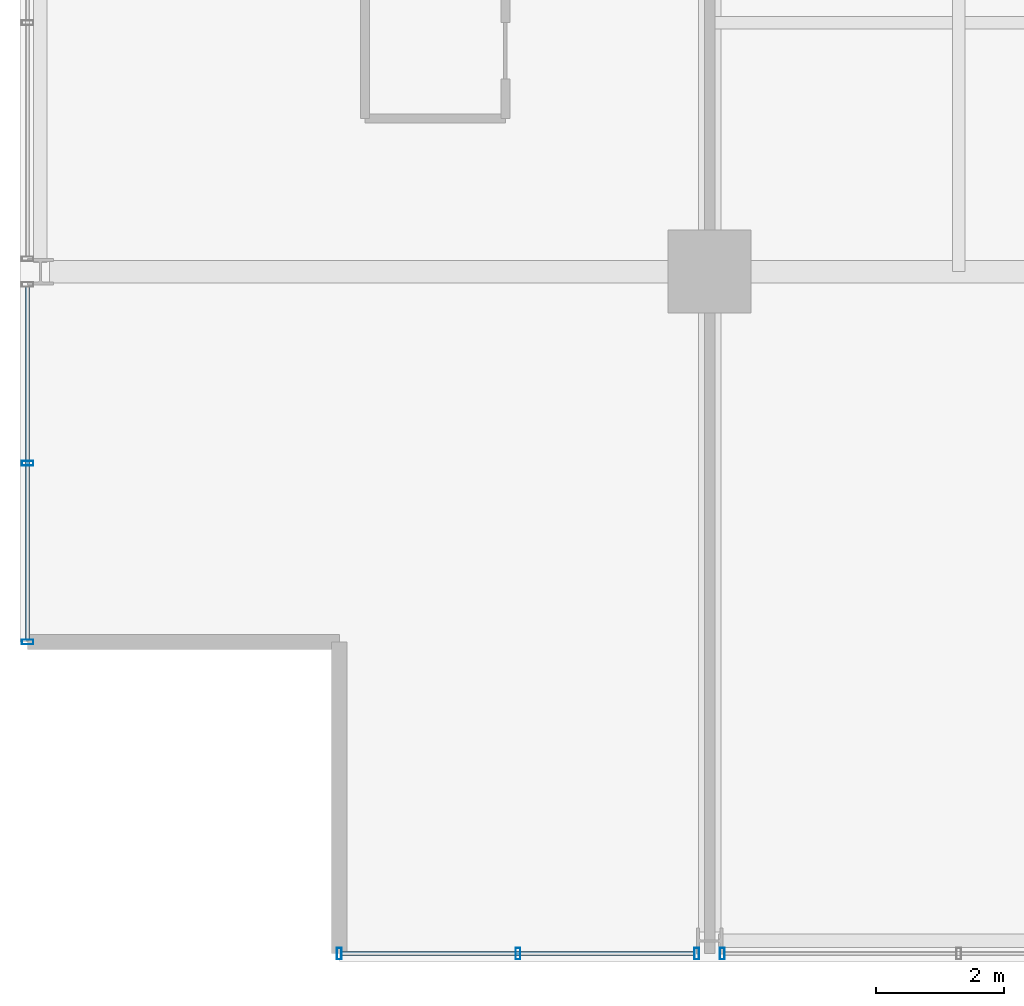
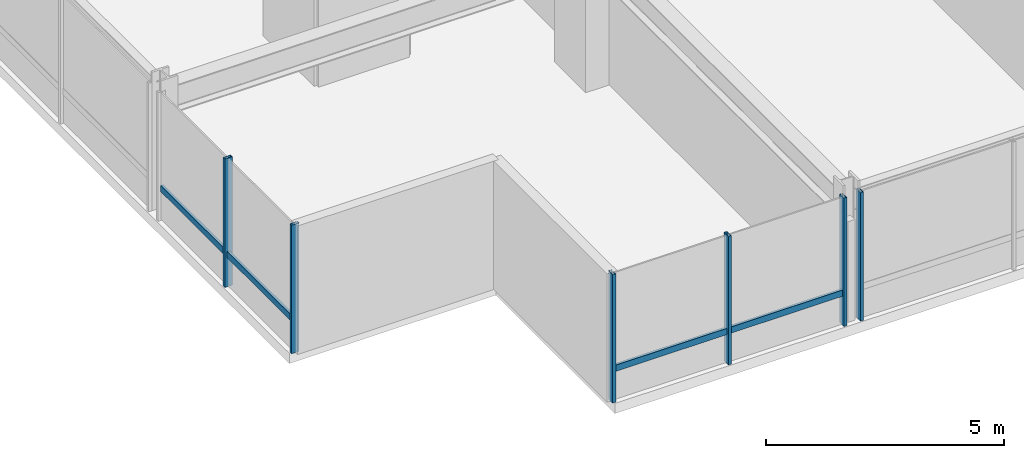
# One storey, part 2 of 34: 8 members, 3 elements without a shape of their own.
"""IFC4 building model written with IfcOpenShell, lengths in metres."""

from ifc_helpers import new_model, si_unit, direction, frame, origin, origin_2d, place, context, subcontext, project, spatial, hollow_rectangle, extrude, material, layer, layer_set, material_profile, profile_set, type_object, element, aggregate, save


model = new_model("IFC4")

# Units and contexts
model_context = context("Model", 3, precision=1e-05, world=origin(), true_north=direction((0.0, 1.0)))
body_context = subcontext(model_context, "Body", "Model", "MODEL_VIEW")
ifc_project = project(units=[si_unit("LENGTHUNIT", "METRE"), si_unit("AREAUNIT", "SQUARE_METRE"), si_unit("VOLUMEUNIT", "CUBIC_METRE"), si_unit("PLANEANGLEUNIT", "RADIAN"), si_unit("MASSUNIT", "GRAM", prefix="KILO")], contexts=[model_context])

# Site, building, storey
site_placement = place(None, origin())
site = spatial("IfcSite", under=ifc_project, at=site_placement, CompositionType="ELEMENT")
building_placement = place(site_placement, origin())
building = spatial("IfcBuilding", under=site, at=building_placement, Name="Drelvath Grand Hotel", CompositionType="ELEMENT")
storey_placement = place(building_placement, frame((0.0, 0.0, 175.25)))
storey = spatial("IfcBuildingStorey", under=building, at=storey_placement, Name="L45", CompositionType="ELEMENT", Elevation=175.25)

# Curtain wall, member
ifc_material = material(Name="Brushed Pale-Silver Anodised Aluminium Frame", Category="aluminium")
ifc_layer = layer(ifc_material, 0.199951171875)
ifc_layer_set = layer_set([ifc_layer], Name="Brushed Pale-Silver Anodised Aluminium Frame")
curtain_wall_type = type_object("IfcCurtainWallType", Name="Stick Curtain Wall CW-04 Brushed Silver Upper-Mid", PredefinedType="NOTDEFINED", material=ifc_layer_set)
curtain_wall_1_placement = place(storey_placement, origin())
curtain_wall_1 = element("IfcCurtainWall", 1, at=curtain_wall_1_placement, inside=storey, type_object=curtain_wall_type, Name="L45 CW-04 Curtain Wall CW04-L45-WS1", PredefinedType="NOTDEFINED")
ifc_material_profile_1 = material_profile(ifc_material, hollow_rectangle(XDim=0.06494140625, YDim=0.159912109375, WallThickness=0.00390625, at=origin_2d()), Name="HSS160X65X4")
ifc_profile_set_1 = profile_set([ifc_material_profile_1], Name="Brushed Pale-Silver Anodised Aluminium Frame")
member_type_1 = type_object("IfcMemberType", Name="Curtain Wall Horizontal Transom CW-04 HSS160X65X4", PredefinedType="USERDEFINED", material=ifc_profile_set_1)
member_1_placement = place(storey_placement, frame((-26.8798828125, 5.0400390625, 0.822509765625), z_axis=(0.0, 1.0, 0.0), x_axis=(-1.0, 0.0, 0.0)))
member_1 = element("IfcMember", 2, at=member_1_placement, type_object=member_type_1, Name="CW04-L45-WS1 Sill Transom", ObjectType="TRANSOM", PredefinedType="USERDEFINED", context=body_context, shape_type="SweptSolid", body=[
    extrude(hollow_rectangle(XDim=0.06494140625, YDim=0.159912109375, WallThickness=0.00390625, at=origin_2d()), origin(), (0.0, 0.0, 1.0), 5.519775390625),
])

curtain_wall_2_placement = place(storey_placement, origin())
curtain_wall_2 = element("IfcCurtainWall", 3, at=curtain_wall_2_placement, inside=storey, type_object=curtain_wall_type, Name="L45 CW-04 Curtain Wall CW04-L45-SW1", PredefinedType="NOTDEFINED")
member_2_placement = place(storey_placement, frame((-16.440185546875, 0.1201171875, 0.822509765625), z_axis=(-1.0, 0.0, 0.0), x_axis=(0.0, -1.0, 0.0)))
member_2 = element("IfcMember", 4, at=member_2_placement, type_object=member_type_1, Name="CW04-L45-SW1 Sill Transom", ObjectType="TRANSOM", PredefinedType="USERDEFINED", context=body_context, shape_type="SweptSolid", body=[
    extrude(hollow_rectangle(XDim=0.06494140625, YDim=0.159912109375, WallThickness=0.00390625, at=origin_2d()), origin(), (0.0, 0.0, 1.0), 5.519775390625),
])

# Member
ifc_material_profile_2 = material_profile(ifc_material, hollow_rectangle(XDim=0.074951171875, YDim=0.179931640625, WallThickness=0.0048828125, at=origin_2d()), Name="HSS180X75X5")
ifc_profile_set_2 = profile_set([ifc_material_profile_2], Name="Brushed Pale-Silver Anodised Aluminium Frame")
member_type_2 = type_object("IfcMemberType", Name="Curtain Wall Vertical Mullion CW-04 HSS180X75X5", PredefinedType="MULLION", material=ifc_profile_set_2)
member_3_placement = place(storey_placement, frame((-26.8798828125, 5.0, 0.0), z_axis=(0.0, 0.0, 1.0), x_axis=(0.0, 1.0, 0.0)))
member_3 = element("IfcMember", 5, at=member_3_placement, type_object=member_type_2, Name="CW04-L45-WS1 Mullion 1", PredefinedType="MULLION", context=body_context, shape_type="SweptSolid", body=[
    extrude(hollow_rectangle(XDim=0.074951171875, YDim=0.179931640625, WallThickness=0.0048828125, at=origin_2d()), origin(), (0.0, 0.0, 1.0), 3.2900390625),
])

member_4_placement = place(storey_placement, frame((-26.8798828125, 7.7998046875, 0.0), z_axis=(0.0, 0.0, 1.0), x_axis=(0.0, 1.0, 0.0)))
member_4 = element("IfcMember", 6, at=member_4_placement, type_object=member_type_2, Name="CW04-L45-WS1 Mullion 2", PredefinedType="MULLION", context=body_context, shape_type="SweptSolid", body=[
    extrude(hollow_rectangle(XDim=0.074951171875, YDim=0.179931640625, WallThickness=0.0048828125, at=origin_2d()), origin(), (0.0, 0.0, 1.0), 3.2900390625),
])

aggregate(curtain_wall_1, [member_3, member_4, member_1])

member_5_placement = place(storey_placement, frame((-16.400146484375, 0.1201171875, 0.0), z_axis=(0.0, 0.0, 1.0), x_axis=(1.0, 0.0, 0.0)))
member_5 = element("IfcMember", 7, at=member_5_placement, type_object=member_type_2, Name="CW04-L45-SW1 Mullion 1", PredefinedType="MULLION", context=body_context, shape_type="SweptSolid", body=[
    extrude(hollow_rectangle(XDim=0.074951171875, YDim=0.179931640625, WallThickness=0.0048828125, at=origin_2d()), origin(), (0.0, 0.0, 1.0), 3.2900390625),
])

member_6_placement = place(storey_placement, frame((-19.199951171875, 0.1201171875, 0.0), z_axis=(0.0, 0.0, 1.0), x_axis=(1.0, 0.0, 0.0)))
member_6 = element("IfcMember", 8, at=member_6_placement, type_object=member_type_2, Name="CW04-L45-SW1 Mullion 2", PredefinedType="MULLION", context=body_context, shape_type="SweptSolid", body=[
    extrude(hollow_rectangle(XDim=0.074951171875, YDim=0.179931640625, WallThickness=0.0048828125, at=origin_2d()), origin(), (0.0, 0.0, 1.0), 3.2900390625),
])

member_7_placement = place(storey_placement, frame((-22.0, 0.1201171875, 0.0), z_axis=(0.0, 0.0, 1.0), x_axis=(1.0, 0.0, 0.0)))
member_7 = element("IfcMember", 9, at=member_7_placement, type_object=member_type_2, Name="CW04-L45-SW1 Mullion 3", PredefinedType="MULLION", context=body_context, shape_type="SweptSolid", body=[
    extrude(hollow_rectangle(XDim=0.074951171875, YDim=0.179931640625, WallThickness=0.0048828125, at=origin_2d()), origin(), (0.0, 0.0, 1.0), 3.2900390625),
])

aggregate(curtain_wall_2, [member_5, member_6, member_7, member_2])

# Curtain wall, member
curtain_wall_3_placement = place(storey_placement, origin())
curtain_wall_3 = element("IfcCurtainWall", 10, at=curtain_wall_3_placement, inside=storey, type_object=curtain_wall_type, Name="L45 CW-04 Curtain Wall CW04-L45-SW2", PredefinedType="NOTDEFINED")
member_8_placement = place(storey_placement, frame((-16.0, 0.1201171875, 0.0), z_axis=(0.0, 0.0, 1.0), x_axis=(1.0, 0.0, 0.0)))
member_8 = element("IfcMember", 11, at=member_8_placement, type_object=member_type_2, Name="CW04-L45-SW2 Mullion 3", PredefinedType="MULLION", context=body_context, shape_type="SweptSolid", body=[
    extrude(hollow_rectangle(XDim=0.074951171875, YDim=0.179931640625, WallThickness=0.0048828125, at=origin_2d()), origin(), (0.0, 0.0, 1.0), 3.2900390625),
])
aggregate(curtain_wall_3, [member_8])

save(model, "model.ifc")
